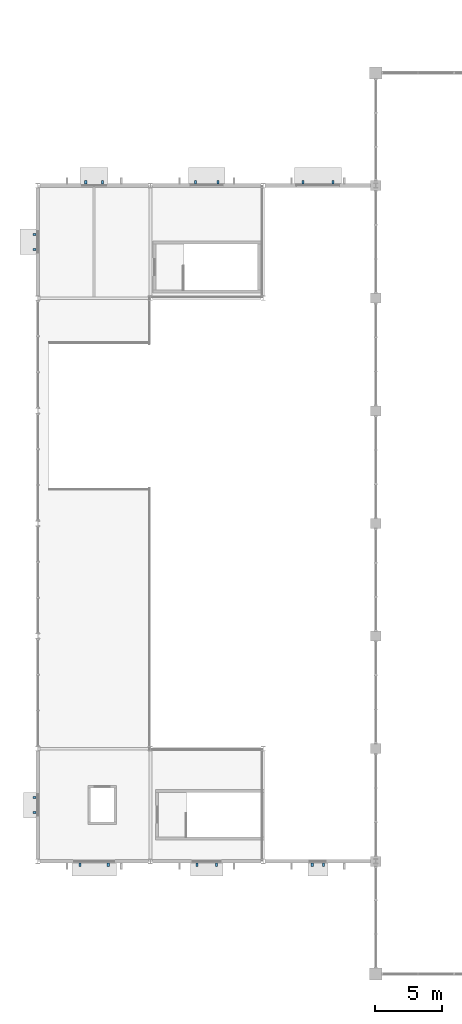
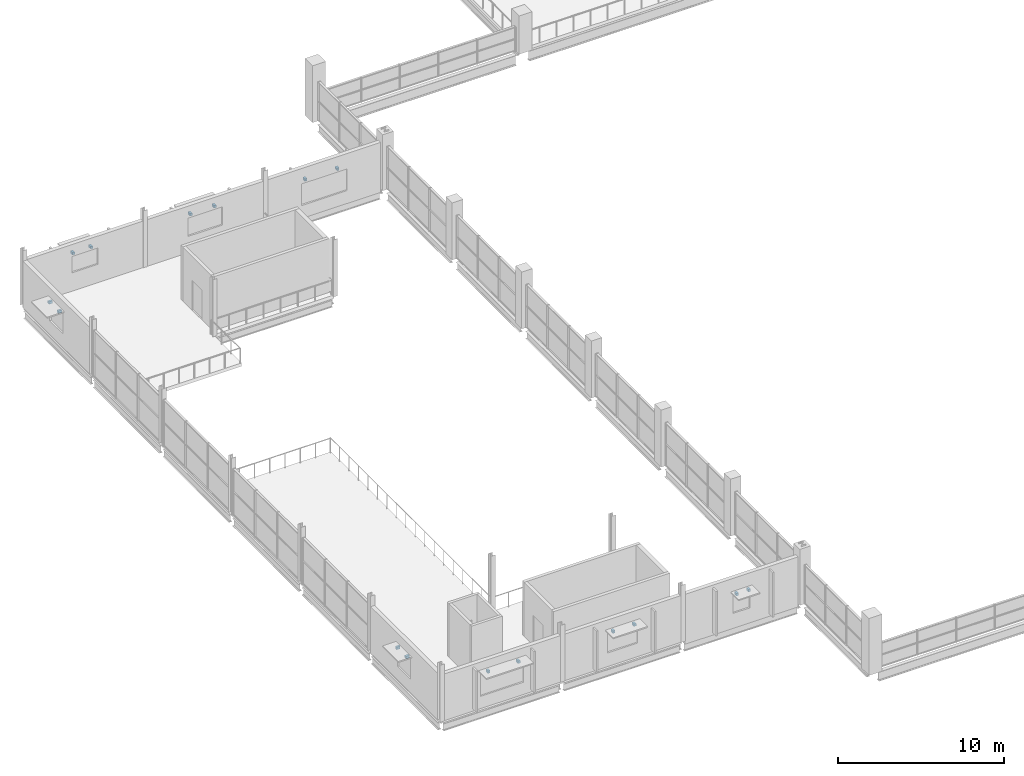
# One storey, part 60 of 68: 16 discrete accessories.
"""IFC4 building model written with IfcOpenShell, lengths in metres."""

from ifc_helpers import new_model, si_unit, direction, frame, origin, origin_2d, place, context, subcontext, project, spatial, rectangle, extrude, material, type_object, element, save


model = new_model("IFC4")

# Units and contexts
model_context = context("Model", 3, precision=1e-05, world=origin(), true_north=direction((0.0, 1.0)))
body_context = subcontext(model_context, "Body", "Model", "MODEL_VIEW")
ifc_project = project(units=[si_unit("LENGTHUNIT", "METRE"), si_unit("AREAUNIT", "SQUARE_METRE"), si_unit("VOLUMEUNIT", "CUBIC_METRE"), si_unit("PLANEANGLEUNIT", "RADIAN"), si_unit("MASSUNIT", "GRAM", prefix="KILO"), si_unit("THERMODYNAMICTEMPERATUREUNIT", "KELVIN")], contexts=[model_context])

# Site, building, storey
site_placement = place(None, origin())
site = spatial("IfcSite", under=ifc_project, at=site_placement, CompositionType="ELEMENT")
building_placement = place(site_placement, origin())
building = spatial("IfcBuilding", under=site, at=building_placement, Name="Nduvali Passage Aquatics Centre", CompositionType="ELEMENT")
storey_placement = place(building_placement, frame((0.0, 0.0, 13.199951171875)))
storey = spatial("IfcBuildingStorey", under=building, at=storey_placement, Name="L03", CompositionType="ELEMENT", Elevation=13.199951171875)

# Discrete accessories
ifc_material = material(Name="Steel S355", Category="steel")
discrete_accessory_type = type_object("IfcDiscreteAccessoryType", Name="ENV-BRK-S355", PredefinedType="BRACKET", material=ifc_material)
for number, where, z_axis, x_axis, name in (
    (1, (3.14990234375, 33.35009765625, 2.5849609375), (0.0, 0.0, 1.0), (1.0, 0.0, 0.0), "L03 Sunshade Bracket 0079"),
    (2, (5.25, 33.35009765625, 2.5849609375), (0.0, 0.0, 1.0), (1.0, 0.0, 0.0), "L03 Sunshade Bracket 0080"),
    (3, (4.830078125, 84.25, 2.43017578125), (0.0, 0.0, 1.0), (-1.0, 0.0, 0.0), "L03 Sunshade Bracket 0081"),
    (4, (3.570068359375, 84.25, 2.43017578125), (0.0, 0.0, 1.0), (-1.0, 0.0, 0.0), "L03 Sunshade Bracket 0082"),
    (5, (11.864990234375, 33.35009765625, 2.48486328125), (0.0, 0.0, 1.0), (1.0, 0.0, 0.0), "L03 Sunshade Bracket 0083"),
    (6, (13.3349609375, 33.35009765625, 2.48486328125), (0.0, 0.0, 1.0), (1.0, 0.0, 0.0), "L03 Sunshade Bracket 0084"),
    (7, (13.43994140625, 84.25, 2.43017578125), (0.0, 0.0, 1.0), (-1.0, 0.0, 0.0), "L03 Sunshade Bracket 0085"),
    (8, (11.760009765625, 84.25, 2.43017578125), (0.0, 0.0, 1.0), (-1.0, 0.0, 0.0), "L03 Sunshade Bracket 0086"),
    (9, (20.467041015625, 33.35009765625, 2.23486328125), (0.0, 0.0, 1.0), (1.0, 0.0, 0.0), "L03 Sunshade Bracket 0087"),
    (10, (21.306884765625, 33.35009765625, 2.23486328125), (0.0, 0.0, 1.0), (1.0, 0.0, 0.0), "L03 Sunshade Bracket 0088"),
    (11, (22.008056640625, 84.25, 2.18017578125), (0.0, 0.0, 1.0), (-1.0, 0.0, 0.0), "L03 Sunshade Bracket 0089"),
    (12, (19.76806640625, 84.25, 2.18017578125), (0.0, 0.0, 1.0), (-1.0, 0.0, 0.0), "L03 Sunshade Bracket 0090"),
    (13, (-0.25, 38.360107421875, 2.48486328125), (0.0, 0.0, 1.0), (0.0, -1.0, 0.0), "L03 Sunshade Bracket 0091"),
    (14, (-0.25, 37.239990234375, 2.48486328125), (0.0, 0.0, 1.0), (0.0, -1.0, 0.0), "L03 Sunshade Bracket 0092"),
    (15, (-0.25, 80.360107421875, 2.47998046875), (0.0, 0.0, 1.0), (0.0, -1.0, 0.0), "L03 Sunshade Bracket 0093"),
    (16, (-0.25, 79.239990234375, 2.47998046875), (0.0, 0.0, 1.0), (0.0, -1.0, 0.0), "L03 Sunshade Bracket 0094"),
):
    element("IfcDiscreteAccessory", number, at=place(storey_placement, frame(where, z_axis=z_axis, x_axis=x_axis)), inside=storey, type_object=discrete_accessory_type, Name=name, PredefinedType="BRACKET", context=body_context, shape_type="SweptSolid", body=[
        extrude(rectangle(XDim=0.159912109375, YDim=0.239990234375, at=origin_2d()), origin(), (0.0, 0.0, 1.0), 0.179931640625),
    ])

save(model, "model.ifc")
